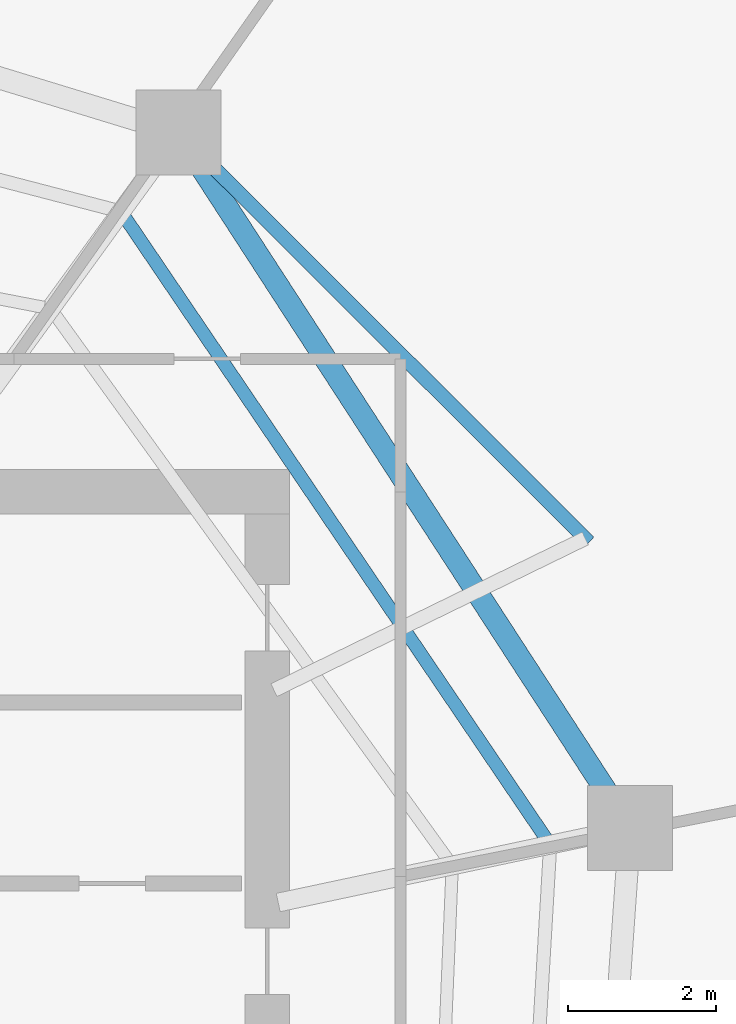
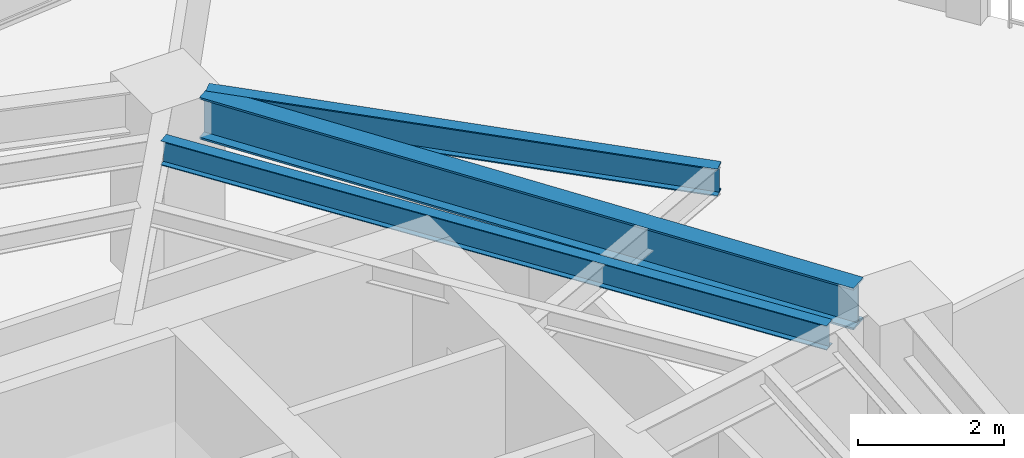
# One storey, part 21 of 30: 3 beams.
"""IFC4 building model written with IfcOpenShell, lengths in metres."""

from ifc_helpers import new_model, si_unit, direction, frame, origin, origin_2d, place, context, subcontext, project, spatial, i_section, extrude, material, material_profile, profile_set, type_object, element, save


model = new_model("IFC4")

# Units and contexts
model_context = context("Model", 3, precision=1e-05, world=origin(), true_north=direction((0.0, 1.0)))
body_context = subcontext(model_context, "Body", "Model", "MODEL_VIEW")
ifc_project = project(units=[si_unit("LENGTHUNIT", "METRE"), si_unit("AREAUNIT", "SQUARE_METRE"), si_unit("VOLUMEUNIT", "CUBIC_METRE"), si_unit("PLANEANGLEUNIT", "RADIAN"), si_unit("MASSUNIT", "GRAM", prefix="KILO")], contexts=[model_context])

# Site, building, storey
site_placement = place(None, origin())
site = spatial("IfcSite", under=ifc_project, at=site_placement, CompositionType="ELEMENT")
building_placement = place(site_placement, origin())
building = spatial("IfcBuilding", under=site, at=building_placement, Name="Qarnah Convention Tower", CompositionType="ELEMENT")
storey_placement = place(building_placement, frame((0.0, 0.0, 90.14990234375)))
storey = spatial("IfcBuildingStorey", under=building, at=storey_placement, Name="L23", CompositionType="ELEMENT", Elevation=90.14990234375)

# Beams
ifc_material = material(Name="Structural steel S355JR", Category="steel")
ifc_material_profile_1 = material_profile(ifc_material, i_section(OverallWidth=0.19189453125, OverallDepth=0.464111328125, WebThickness=0.010986328125, FlangeThickness=0.01806640625, at=origin_2d()), Name="W460X89")
ifc_profile_set_1 = profile_set([ifc_material_profile_1], Name="Structural steel S355JR")
beam_type_1 = type_object("IfcBeamType", Name="BM-CANT-W460A", PredefinedType="BEAM", material=ifc_profile_set_1)
beam_1_placement = place(storey_placement, frame((51.952880859375, 33.52099609375, 2.93798828125), z_axis=(-0.707978220507, 0.706234266577, 0.0), x_axis=(-0.706234266577, -0.707978220507, 0.0)))
element("IfcBeam", 1, at=beam_1_placement, inside=storey, type_object=beam_type_1, Name="L23 spandrel BM-L23-CTIE-01", PredefinedType="SPANDREL", context=body_context, shape_type="SweptSolid", body=[
    extrude(i_section(OverallWidth=0.19189453125, OverallDepth=0.464111328125, WebThickness=0.010986328125, FlangeThickness=0.01806640625, at=origin_2d()), origin(), (0.0, 0.0, 1.0), 7.279541015625),
])
ifc_material_profile_2 = material_profile(ifc_material, i_section(OverallWidth=0.177978515625, OverallDepth=0.407958984375, WebThickness=0.008056640625, FlangeThickness=0.012939453125, at=origin_2d()), Name="W410X60")
ifc_profile_set_2 = profile_set([ifc_material_profile_2], Name="Structural steel S355JR")
beam_type_2 = type_object("IfcBeamType", Name="BM-JST-W410", PredefinedType="JOIST", material=ifc_profile_set_2)
beam_2_placement = place(storey_placement, frame((51.3779296875, 29.5, 2.966064453125), z_axis=(-0.561116205741, 0.827737037745, 0.0), x_axis=(-0.827737037745, -0.561116205741, 0.0)))
element("IfcBeam", 2, at=beam_2_placement, inside=storey, type_object=beam_type_2, Name="L23 joist BM-L23-SJST-01", PredefinedType="JOIST", context=body_context, shape_type="SweptSolid", body=[
    extrude(i_section(OverallWidth=0.177978515625, OverallDepth=0.407958984375, WebThickness=0.008056640625, FlangeThickness=0.012939453125, at=origin_2d()), origin(), (0.0, 0.0, 1.0), 10.168701171875),
])
ifc_material_profile_3 = material_profile(ifc_material, i_section(OverallWidth=0.300048828125, OverallDepth=0.699951171875, WebThickness=0.01708984375, FlangeThickness=0.031982421875, at=origin_2d()), Name="HEB700")
ifc_profile_set_3 = profile_set([ifc_material_profile_3], Name="Structural steel S355JR")
beam_type_3 = type_object("IfcBeamType", Name="BM-RING-HEB700", PredefinedType="BEAM", material=ifc_profile_set_3)
beam_3_placement = place(storey_placement, frame((52.199951171875, 30.1279296875, 2.820068359375), z_axis=(-0.544610528714, 0.838689079465, 0.0), x_axis=(-0.838689079465, -0.544610528714, 0.0)))
element("IfcBeam", 3, at=beam_3_placement, inside=storey, type_object=beam_type_3, Name="L23 beam BM-L23-SPN-01", PredefinedType="BEAM", context=body_context, shape_type="SweptSolid", body=[
    extrude(i_section(OverallWidth=0.300048828125, OverallDepth=0.699951171875, WebThickness=0.01708984375, FlangeThickness=0.031982421875, at=origin_2d()), origin(), (0.0, 0.0, 1.0), 10.0859375),
])

save(model, "model.ifc")
